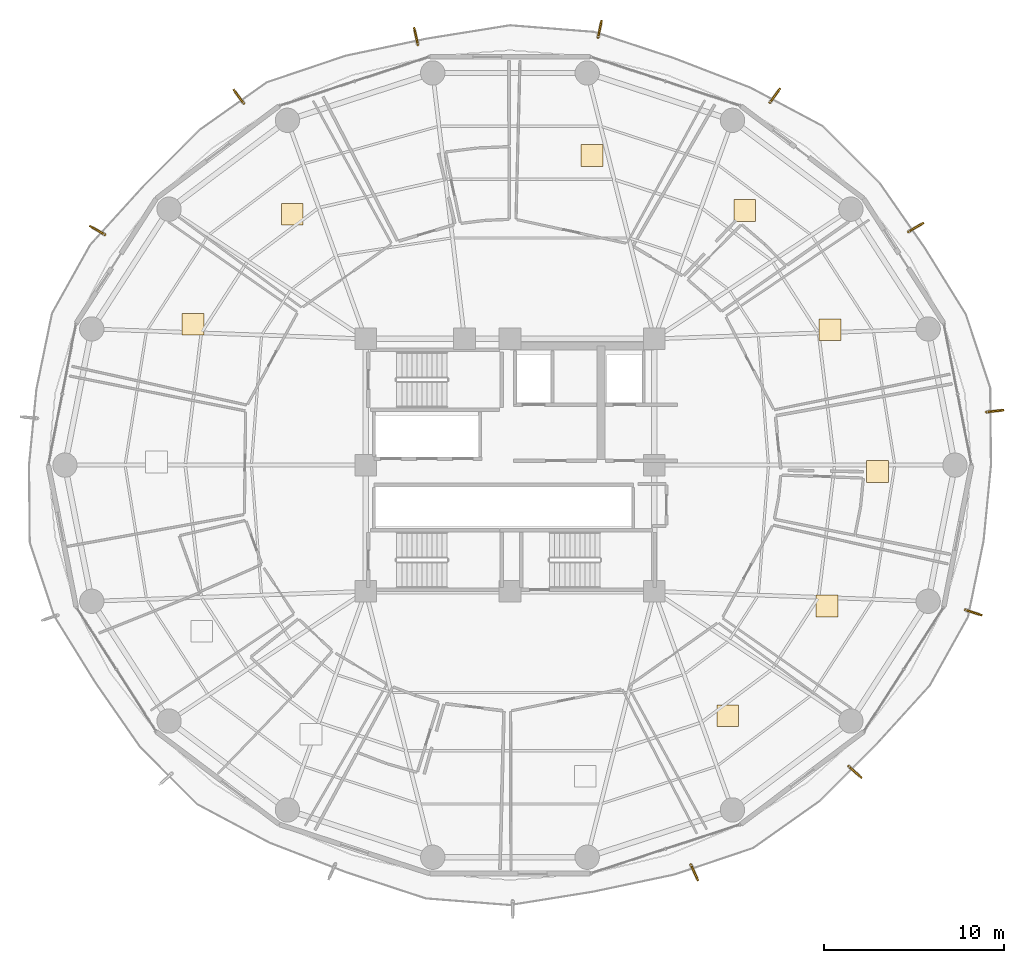
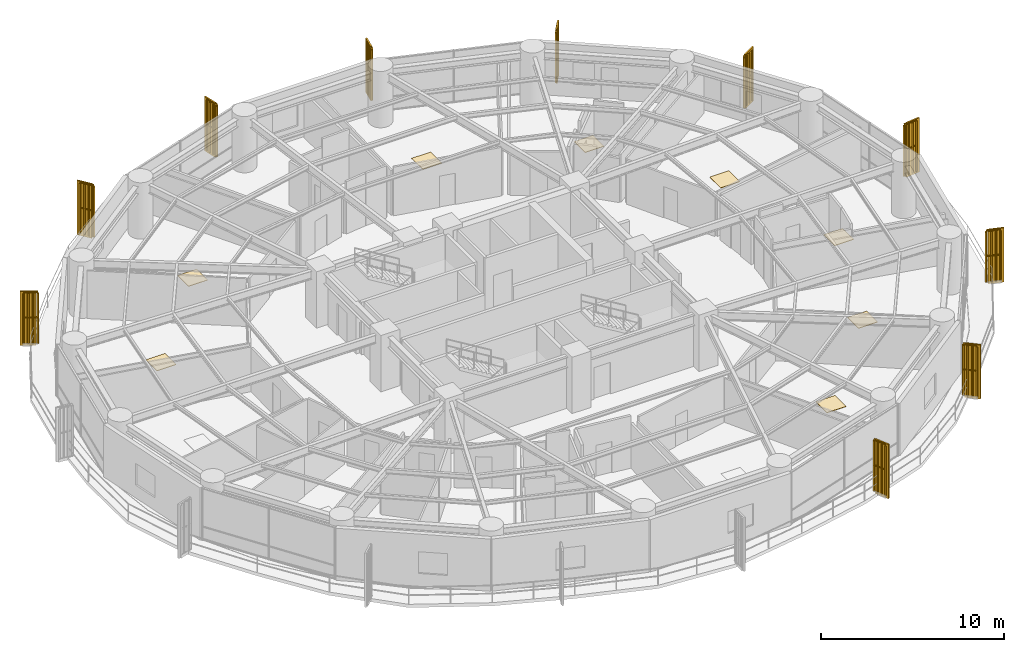
# One storey, part 35 of 35: 10 railings, 10 shading devices, 8 coverings.
"""IFC4 building model written with IfcOpenShell, lengths in metres."""

import ifcopenshell
import ifcopenshell.guid

model = None  # the IFC model being written
_history = None  # IfcOwnerHistory: only IFC2X3 demands one
_inside = {}  # id of a spatial element -> (the spatial element, [elements in it])
_under = {}  # id of a project, library or spatial element -> (it, [spatial elements below it])
_declared = {}  # id of a project -> (the project, [libraries it declares])
_typed = {}  # id of a type object -> (the type object, [elements of that type])
_made_of = {}  # id of a material, layer set ... -> (it, [elements and type objects made of it])


def new_model(schema):
    """Start an empty IFC model of exactly this schema.

    Asked for "IFC4X3", IfcOpenShell would pick the latest addendum, in which some entities
    have other attributes; the version numbers below select the first issue.
    IFC2X3 requires an IfcOwnerHistory on every rooted entity: one is made here for all.
    """
    global model, _history
    if schema == "IFC4X3":
        model = ifcopenshell.file(schema_version=(4, 3, 0, 0))
    else:
        model = ifcopenshell.file(schema=schema)
    _inside.clear()
    _under.clear()
    _declared.clear()
    _typed.clear()
    _made_of.clear()
    _history = None
    if model.schema == "IFC2X3":
        org = make("IfcOrganization", Name="unknown")
        user = make(
            "IfcPersonAndOrganization",
            ThePerson=make("IfcPerson", FamilyName="unknown"),
            TheOrganization=org,
        )
        app = make(
            "IfcApplication",
            ApplicationDeveloper=org,
            Version="unknown",
            ApplicationFullName="unknown",
            ApplicationIdentifier="unknown",
        )
        _history = make(
            "IfcOwnerHistory",
            OwningUser=user,
            OwningApplication=app,
            ChangeAction="ADDED",
            CreationDate=0,
        )
    return model


def make(cls, **values):
    """One entity of the class cls with the attributes given. An attribute that is None is left unset."""
    return model.create_entity(
        cls, **{name: value for name, value in values.items() if value is not None}
    )


def rooted(cls, **values):
    """An entity with a GlobalId (a new one), such as an element, a storey or a relation."""
    return make(cls, GlobalId=ifcopenshell.guid.new(), OwnerHistory=_history, **values)


def si_unit(unit_type, name, prefix=None):
    """IfcSIUnit, for example si_unit("LENGTHUNIT", "METRE", prefix="MILLI")."""
    return make("IfcSIUnit", UnitType=unit_type, Prefix=prefix, Name=name)


def assignment(units):
    """IfcUnitAssignment: the units of a project."""
    return None if units is None else make("IfcUnitAssignment", Units=units)


def point(xyz):
    """IfcCartesianPoint."""
    return None if xyz is None else make("IfcCartesianPoint", Coordinates=xyz)


def direction(xyz):
    """IfcDirection."""
    return None if xyz is None else make("IfcDirection", DirectionRatios=xyz)


def frame(location, z_axis=None, x_axis=None):
    """IfcAxis2Placement3D, a coordinate frame: its origin and axes. An axis left out is left unset."""
    return make(
        "IfcAxis2Placement3D",
        Location=point(location),
        Axis=direction(z_axis),
        RefDirection=direction(x_axis),
    )


def frame_2d(location, x_axis=None):
    """IfcAxis2Placement2D, a coordinate frame in the plane: its origin and x axis."""
    return make(
        "IfcAxis2Placement2D", Location=point(location), RefDirection=direction(x_axis)
    )


def origin():
    """The frame at (0, 0, 0) with its axes left unset."""
    return frame((0.0, 0.0, 0.0))


def origin_2d():
    """The frame at (0, 0) in the plane with its x axis left unset."""
    return frame_2d((0.0, 0.0))


def place(relative_to, where):
    """IfcLocalPlacement: puts the frame where relative to a parent placement (None: the world)."""
    return make(
        "IfcLocalPlacement", PlacementRelTo=relative_to, RelativePlacement=where
    )


def context(
    kind, dimensions, precision=None, world=None, true_north=None, identifier=None
):
    """IfcGeometricRepresentationContext, for example the 3D "Model" context."""
    return make(
        "IfcGeometricRepresentationContext",
        ContextIdentifier=identifier,
        ContextType=kind,
        CoordinateSpaceDimension=dimensions,
        Precision=precision,
        WorldCoordinateSystem=world,
        TrueNorth=true_north,
    )


def subcontext(parent, identifier, kind, view, scale=None):
    """IfcGeometricRepresentationSubContext, for example "Body" below "Model"."""
    return make(
        "IfcGeometricRepresentationSubContext",
        ContextIdentifier=identifier,
        ContextType=kind,
        ParentContext=parent,
        TargetScale=scale,
        TargetView=view,
    )


def project(units=None, contexts=None):
    """IfcProject with its units and contexts."""
    return rooted(
        "IfcProject",
        Name="project",
        RepresentationContexts=contexts,
        UnitsInContext=assignment(units),
    )


def spatial(cls, under=None, at=None, **own):
    """A site, building, storey or space (cls), placed at a placement, below another one or the project."""
    s = rooted(cls, ObjectPlacement=at, **own)
    if under is not None:
        _under.setdefault(under.id(), (under, []))[1].append(s)
    return s


def polyline(points):
    """IfcPolyline through the points."""
    return make("IfcPolyline", Points=[point(p) for p in points])


def profile(cls, at=None, kind="AREA", **sizes):
    """A parametric profile (cls). Its sizes go by their IFC names, for example OverallWidth=200.0."""
    return make(cls, ProfileType=kind, Position=at, **sizes)


def rectangle(**sizes):
    """IfcRectangleProfileDef."""
    return profile("IfcRectangleProfileDef", **sizes)


def outline(outer, holes=None, kind="AREA"):
    """IfcArbitraryClosedProfileDef: a profile drawn as a closed curve; with holes, ...WithVoids."""
    if holes is None:
        return make("IfcArbitraryClosedProfileDef", ProfileType=kind, OuterCurve=outer)
    return make(
        "IfcArbitraryProfileDefWithVoids",
        ProfileType=kind,
        OuterCurve=outer,
        InnerCurves=holes,
    )


def extrude(swept, where, along, depth):
    """IfcExtrudedAreaSolid: the profile swept, set in the frame where, extruded along a direction by depth."""
    return make(
        "IfcExtrudedAreaSolid",
        SweptArea=swept,
        Position=where,
        ExtrudedDirection=direction(along),
        Depth=depth,
    )


def shape(context_of_items, identifier, shape_type, items):
    """IfcShapeRepresentation: the items that make up one representation, for example the "Body"."""
    return make(
        "IfcShapeRepresentation",
        ContextOfItems=context_of_items,
        RepresentationIdentifier=identifier,
        RepresentationType=shape_type,
        Items=items,
    )


def source(mapping_origin, context_of_items, identifier, shape_type, items):
    """IfcRepresentationMap: a shape defined once, which mapped items show again and again."""
    return make(
        "IfcRepresentationMap",
        MappingOrigin=mapping_origin,
        MappedRepresentation=shape(context_of_items, identifier, shape_type, items),
    )


def transform(
    local_origin,
    x_axis=None,
    y_axis=None,
    z_axis=None,
    scale=None,
    scale2=None,
    scale3=None,
    uniform=True,
):
    """IfcCartesianTransformationOperator3D, or its non-uniform kind. x_axis, y_axis, z_axis: its Axis1, 2, 3."""
    if uniform:
        return make(
            "IfcCartesianTransformationOperator3D",
            Axis1=direction(x_axis),
            Axis2=direction(y_axis),
            LocalOrigin=point(local_origin),
            Scale=scale,
            Axis3=direction(z_axis),
        )
    return make(
        "IfcCartesianTransformationOperator3DnonUniform",
        Axis1=direction(x_axis),
        Axis2=direction(y_axis),
        LocalOrigin=point(local_origin),
        Scale=scale,
        Axis3=direction(z_axis),
        Scale2=scale2,
        Scale3=scale3,
    )


def mapped(mapping_source, mapping_target):
    """IfcMappedItem: shows the shape of a source again, moved by a transform."""
    return make(
        "IfcMappedItem", MappingSource=mapping_source, MappingTarget=mapping_target
    )


def material(Name=None, Category=None):
    """IfcMaterial."""
    return make("IfcMaterial", Name=Name, Category=Category)


def layer(
    of_material, thickness, ventilated=None, Name=None, Category=None, Priority=None
):
    """IfcMaterialLayer: one layer of a wall or slab, of a material (None: an air gap)."""
    return make(
        "IfcMaterialLayer",
        Material=of_material,
        LayerThickness=thickness,
        IsVentilated=ventilated,
        Name=Name,
        Category=Category,
        Priority=Priority,
    )


def layer_set(layers, Name=None):
    """IfcMaterialLayerSet."""
    return make("IfcMaterialLayerSet", MaterialLayers=layers, LayerSetName=Name)


def made_of(thing, what):
    """Note that an element or type object is made of a material, layer set ...; save() writes the relation."""
    if what is not None:
        _made_of.setdefault(what.id(), (what, []))[1].append(thing)
    return thing


def type_object(cls, material=None, **own):
    """A type object (cls), such as IfcWallType, which elements share."""
    return made_of(rooted(cls, **own), material)


def element(
    cls,
    number,
    at=None,
    inside=None,
    cuts=None,
    type_object=None,
    material=None,
    context=None,
    identifier="Body",
    shape_type=None,
    held_by="IfcProductDefinitionShape",
    body=None,
    shapes=None,
    **own,
):
    """One element of the class cls, such as IfcWall. Its Tag is "e" and its number.

    at: its placement. inside: the storey or other place that contains it. cuts: it is an
    opening in that element (IfcRelVoidsElement). A single representation is given by context,
    identifier, shape_type and body (its items); several are given by shapes. held_by: the class
    of the entity that holds the representations. save() writes the other relations.
    """
    e = rooted(cls, Tag="e%d" % number, ObjectPlacement=at, **own)
    if body is not None:
        shapes = [shape(context, identifier, shape_type, body)]
    if shapes is not None:
        e.Representation = make(held_by, Representations=shapes)
    if inside is not None:
        _inside.setdefault(inside.id(), (inside, []))[1].append(e)
    if cuts is not None:
        rooted(
            "IfcRelVoidsElement", RelatingBuildingElement=cuts, RelatedOpeningElement=e
        )
    if type_object is not None:
        _typed.setdefault(type_object.id(), (type_object, []))[1].append(e)
    return made_of(e, material)


def aggregate(whole, parts):
    """IfcRelAggregates: a whole, such as a stair, and the parts it consists of."""
    return rooted("IfcRelAggregates", RelatingObject=whole, RelatedObjects=parts)


def save(model, path):
    """Write the relations noted so far, then the file.

    IfcRelAggregates (storeys below a building ...), IfcRelContainedInSpatialStructure (elements
    in a storey), IfcRelDefinesByType, IfcRelAssociatesMaterial and IfcRelDeclares: one each for
    every whole, place, type object, material and project.
    """
    for whole, parts in _under.values():
        aggregate(whole, parts)
    for where, things in _inside.values():
        rooted(
            "IfcRelContainedInSpatialStructure",
            RelatedElements=things,
            RelatingStructure=where,
        )
    for kind, things in _typed.values():
        rooted("IfcRelDefinesByType", RelatedObjects=things, RelatingType=kind)
    for what, things in _made_of.values():
        rooted("IfcRelAssociatesMaterial", RelatedObjects=things, RelatingMaterial=what)
    for by, libraries in _declared.values():
        rooted("IfcRelDeclares", RelatingContext=by, RelatedDefinitions=libraries)
    model.write(path)


model = new_model("IFC4")

# Units and contexts
model_context = context("Model", 3, precision=1e-05, world=origin(), true_north=direction((0.0, 1.0)))
body_context = subcontext(model_context, "Body", "Model", "MODEL_VIEW")
ifc_project = project(units=[si_unit("LENGTHUNIT", "METRE"), si_unit("AREAUNIT", "SQUARE_METRE"), si_unit("VOLUMEUNIT", "CUBIC_METRE"), si_unit("PLANEANGLEUNIT", "RADIAN"), si_unit("MASSUNIT", "GRAM", prefix="KILO")], contexts=[model_context])

# Site, building, storey
site_placement = place(None, origin())
site = spatial("IfcSite", under=ifc_project, at=site_placement, CompositionType="ELEMENT")
building_placement = place(site_placement, origin())
building = spatial("IfcBuilding", under=site, at=building_placement, Name="Kelanora Arch Commons", CompositionType="ELEMENT")
storey_placement = place(building_placement, frame((0.0, 0.0, 121.35009765625)))
storey = spatial("IfcBuildingStorey", under=building, at=storey_placement, Name="L31", CompositionType="ELEMENT", Elevation=121.35009765625)

# Railings
ifc_material_1 = material(Name="Anodised bronze vertical shading fin rib assembly")
railing_type = type_object("IfcRailingType", Name="RAIL-FIN-BRZ", PredefinedType="BALUSTRADE", material=ifc_material_1)
railing_1_placement = place(storey_placement, frame((96.10400390625, 70.946044921875, -0.02001953125)))
element("IfcRailing", 1, at=railing_1_placement, inside=storey, type_object=railing_type, Name="Sweeping Bronze Vertical Fin Blade L31-00", PredefinedType="BALUSTRADE", context=body_context, shape_type="SweptSolid", body=[
    extrude(outline(polyline([(0.06982421875, 0.0), (0.034912109375, 0.060546875), (-0.034912109375, 0.060546875), (-0.06982421875, 0.0), (-0.034912109375, -0.060546875), (0.034912109375, -0.060546875), (0.06982421875, 0.0)])), frame((0.0, 0.0, 3.419921875), z_axis=(0.862885301133, 0.505399799256, 0.0), x_axis=(-0.505399799256, 0.862885301133, 0.0)), (0.0, 0.0, 1.0), 0.783935546875),
    extrude(outline(polyline([(0.06982421875, 0.0), (0.034912109375, 0.060546875), (-0.034912109375, 0.060546875), (-0.06982421875, 0.0), (-0.034912109375, -0.060546875), (0.034912109375, -0.060546875), (0.06982421875, 0.0)])), frame((0.0, 0.0, 1.7451171875), z_axis=(0.862885301133, 0.505399799256, 0.0), x_axis=(-0.505399799256, 0.862885301133, 0.0)), (0.0, 0.0, 1.0), 0.783935546875),
    extrude(outline(polyline([(0.080078125, 0.0), (0.0400390625, 0.0693359375), (-0.0400390625, 0.0693359375), (-0.080078125, 0.0), (-0.0400390625, -0.0693359375), (0.0400390625, -0.0693359375), (0.080078125, 0.0)])), origin(), (0.0, 0.0, 1.0), 3.35009765625),
    extrude(outline(polyline([(0.080078125, 0.0), (0.0400390625, 0.0693359375), (-0.0400390625, 0.0693359375), (-0.080078125, 0.0), (-0.0400390625, -0.0693359375), (0.0400390625, -0.0693359375), (0.080078125, 0.0)])), frame((0.2255859375, 0.132080078125, 0.0)), (0.0, 0.0, 1.0), 3.35009765625),
    extrude(outline(polyline([(0.080078125, 0.0), (0.0400390625, 0.0693359375), (-0.0400390625, 0.0693359375), (-0.080078125, 0.0), (-0.0400390625, -0.0693359375), (0.0400390625, -0.0693359375), (0.080078125, 0.0)])), frame((0.450927734375, 0.26416015625, 0.0)), (0.0, 0.0, 1.0), 3.35009765625),
    extrude(outline(polyline([(0.080078125, 0.0), (0.0400390625, 0.0693359375), (-0.0400390625, 0.0693359375), (-0.080078125, 0.0), (-0.0400390625, -0.0693359375), (0.0400390625, -0.0693359375), (0.080078125, 0.0)])), frame((0.676513671875, 0.396240234375, 0.0)), (0.0, 0.0, 1.0), 3.35009765625),
])
railing_2_placement = place(storey_placement, frame((88.420166015625, 78.10986328125, -0.02001953125)))
element("IfcRailing", 2, at=railing_2_placement, inside=storey, type_object=railing_type, Name="Sweeping Bronze Vertical Fin Blade L31-01", PredefinedType="BALUSTRADE", context=body_context, shape_type="SweptSolid", body=[
    extrude(outline(polyline([(0.06982421875, 0.0), (0.034912109375, 0.060546875), (-0.034912109375, 0.060546875), (-0.06982421875, 0.0), (-0.034912109375, -0.060546875), (0.034912109375, -0.060546875), (0.06982421875, 0.0)])), frame((0.0, 0.0, 3.419921875), z_axis=(0.58276928257, 0.812637658057, 0.0), x_axis=(-0.812637658057, 0.58276928257, 0.0)), (0.0, 0.0, 1.0), 0.783935546875),
    extrude(outline(polyline([(0.06982421875, 0.0), (0.034912109375, 0.060546875), (-0.034912109375, 0.060546875), (-0.06982421875, 0.0), (-0.034912109375, -0.060546875), (0.034912109375, -0.060546875), (0.06982421875, 0.0)])), frame((0.0, 0.0, 1.7451171875), z_axis=(0.58276928257, 0.812637658057, 0.0), x_axis=(-0.812637658057, 0.58276928257, 0.0)), (0.0, 0.0, 1.0), 0.783935546875),
    extrude(outline(polyline([(0.080078125, 0.0), (0.0400390625, 0.0693359375), (-0.0400390625, 0.0693359375), (-0.080078125, 0.0), (-0.0400390625, -0.0693359375), (0.0400390625, -0.0693359375), (0.080078125, 0.0)])), origin(), (0.0, 0.0, 1.0), 3.35009765625),
    extrude(outline(polyline([(0.080078125, 0.0), (0.0400390625, 0.0693359375), (-0.0400390625, 0.0693359375), (-0.080078125, 0.0), (-0.0400390625, -0.0693359375), (0.0400390625, -0.0693359375), (0.080078125, 0.0)])), frame((0.15234375, 0.21240234375, 0.0)), (0.0, 0.0, 1.0), 3.35009765625),
    extrude(outline(polyline([(0.080078125, 0.0), (0.0400390625, 0.0693359375), (-0.0400390625, 0.0693359375), (-0.080078125, 0.0), (-0.0400390625, -0.0693359375), (0.0400390625, -0.0693359375), (0.080078125, 0.0)])), frame((0.304443359375, 0.424560546875, 0.0)), (0.0, 0.0, 1.0), 3.35009765625),
    extrude(outline(polyline([(0.080078125, 0.0), (0.0400390625, 0.0693359375), (-0.0400390625, 0.0693359375), (-0.080078125, 0.0), (-0.0400390625, -0.0693359375), (0.0400390625, -0.0693359375), (0.080078125, 0.0)])), frame((0.456787109375, 0.636962890625, 0.0)), (0.0, 0.0, 1.0), 3.35009765625),
])
railing_3_placement = place(storey_placement, frame((78.88818359375, 81.722900390625, -0.02001953125)))
element("IfcRailing", 3, at=railing_3_placement, inside=storey, type_object=railing_type, Name="Sweeping Bronze Vertical Fin Blade L31-02", PredefinedType="BALUSTRADE", context=body_context, shape_type="SweptSolid", body=[
    extrude(outline(polyline([(0.06982421875, 0.0), (0.034912109375, 0.060546875), (-0.034912109375, 0.060546875), (-0.06982421875, 0.0), (-0.034912109375, -0.060546875), (0.034912109375, -0.060546875), (0.06982421875, 0.0)])), frame((0.0, 0.0, 3.419921875), z_axis=(0.201863869476, 0.97941358894, 0.0), x_axis=(-0.97941358894, 0.201863869476, 0.0)), (0.0, 0.0, 1.0), 0.78369140625),
    extrude(outline(polyline([(0.06982421875, 0.0), (0.034912109375, 0.060546875), (-0.034912109375, 0.060546875), (-0.06982421875, 0.0), (-0.034912109375, -0.060546875), (0.034912109375, -0.060546875), (0.06982421875, 0.0)])), frame((0.0, 0.0, 1.7451171875), z_axis=(0.201863869476, 0.97941358894, 0.0), x_axis=(-0.97941358894, 0.201863869476, 0.0)), (0.0, 0.0, 1.0), 0.78369140625),
    extrude(outline(polyline([(0.080078125, 0.0), (0.0400390625, 0.0693359375), (-0.0400390625, 0.0693359375), (-0.080078125, 0.0), (-0.0400390625, -0.0693359375), (0.0400390625, -0.0693359375), (0.080078125, 0.0)])), origin(), (0.0, 0.0, 1.0), 3.35009765625),
    extrude(outline(polyline([(0.080078125, 0.0), (0.0400390625, 0.0693359375), (-0.0400390625, 0.0693359375), (-0.080078125, 0.0), (-0.0400390625, -0.0693359375), (0.0400390625, -0.0693359375), (0.080078125, 0.0)])), frame((0.052734375, 0.255859375, 0.0)), (0.0, 0.0, 1.0), 3.35009765625),
    extrude(outline(polyline([(0.080078125, 0.0), (0.0400390625, 0.0693359375), (-0.0400390625, 0.0693359375), (-0.080078125, 0.0), (-0.0400390625, -0.0693359375), (0.0400390625, -0.0693359375), (0.080078125, 0.0)])), frame((0.10546875, 0.51171875, 0.0)), (0.0, 0.0, 1.0), 3.35009765625),
    extrude(outline(polyline([(0.080078125, 0.0), (0.0400390625, 0.0693359375), (-0.0400390625, 0.0693359375), (-0.080078125, 0.0), (-0.0400390625, -0.0693359375), (0.0400390625, -0.0693359375), (0.080078125, 0.0)])), frame((0.158203125, 0.767578125, 0.0)), (0.0, 0.0, 1.0), 3.35009765625),
])
railing_4_placement = place(storey_placement, frame((68.890380859375, 81.322998046875, -0.02001953125)))
element("IfcRailing", 4, at=railing_4_placement, inside=storey, type_object=railing_type, Name="Sweeping Bronze Vertical Fin Blade L31-03", PredefinedType="BALUSTRADE", context=body_context, shape_type="SweptSolid", body=[
    extrude(outline(polyline([(0.06982421875, 0.0), (0.034912109375, 0.060546875), (-0.034912109375, 0.060546875), (-0.06982421875, 0.0), (-0.034912109375, -0.060546875), (0.034912109375, -0.060546875), (0.06982421875, 0.0)])), frame((0.0, 0.0, 3.419921875), z_axis=(-0.213929041258, 0.976849202951, 0.0), x_axis=(-0.976849202951, -0.213929041258, 0.0)), (0.0, 0.0, 1.0), 0.783935546875),
    extrude(outline(polyline([(0.06982421875, 0.0), (0.034912109375, 0.060546875), (-0.034912109375, 0.060546875), (-0.06982421875, 0.0), (-0.034912109375, -0.060546875), (0.034912109375, -0.060546875), (0.06982421875, 0.0)])), frame((0.0, 0.0, 1.7451171875), z_axis=(-0.213929041258, 0.976849202951, 0.0), x_axis=(-0.976849202951, -0.213929041258, 0.0)), (0.0, 0.0, 1.0), 0.783935546875),
    extrude(outline(polyline([(0.080078125, 0.0), (0.0400390625, 0.0693359375), (-0.0400390625, 0.0693359375), (-0.080078125, 0.0), (-0.0400390625, -0.0693359375), (0.0400390625, -0.0693359375), (0.080078125, 0.0)])), origin(), (0.0, 0.0, 1.0), 3.35009765625),
    extrude(outline(polyline([(0.080078125, 0.0), (0.0400390625, 0.0693359375), (-0.0400390625, 0.0693359375), (-0.080078125, 0.0), (-0.0400390625, -0.0693359375), (0.0400390625, -0.0693359375), (0.080078125, 0.0)])), frame((-0.055908203125, 0.25537109375, 0.0)), (0.0, 0.0, 1.0), 3.35009765625),
    extrude(outline(polyline([(0.080078125, 0.0), (0.0400390625, 0.0693359375), (-0.0400390625, 0.0693359375), (-0.080078125, 0.0), (-0.0400390625, -0.0693359375), (0.0400390625, -0.0693359375), (0.080078125, 0.0)])), frame((-0.11181640625, 0.510498046875, 0.0)), (0.0, 0.0, 1.0), 3.35009765625),
    extrude(outline(polyline([(0.080078125, 0.0), (0.0400390625, 0.0693359375), (-0.0400390625, 0.0693359375), (-0.080078125, 0.0), (-0.0400390625, -0.0693359375), (0.0400390625, -0.0693359375), (0.080078125, 0.0)])), frame((-0.167724609375, 0.765869140625, 0.0)), (0.0, 0.0, 1.0), 3.35009765625),
])
railing_5_placement = place(storey_placement, frame((59.237060546875, 78.055419921875, -0.02001953125)))
element("IfcRailing", 5, at=railing_5_placement, inside=storey, type_object=railing_type, Name="Sweeping Bronze Vertical Fin Blade L31-04", PredefinedType="BALUSTRADE", context=body_context, shape_type="SweptSolid", body=[
    extrude(outline(polyline([(0.06982421875, 0.0), (0.034912109375, 0.060546875), (-0.034912109375, 0.060546875), (-0.06982421875, 0.0), (-0.034912109375, -0.060546875), (0.034912109375, -0.060546875), (0.06982421875, 0.0)])), frame((0.0, 0.0, 3.419921875), z_axis=(-0.592699588838, 0.805423613629, 0.0), x_axis=(-0.805423613629, -0.592699588838, 0.0)), (0.0, 0.0, 1.0), 0.783935546875),
    extrude(outline(polyline([(0.06982421875, 0.0), (0.034912109375, 0.060546875), (-0.034912109375, 0.060546875), (-0.06982421875, 0.0), (-0.034912109375, -0.060546875), (0.034912109375, -0.060546875), (0.06982421875, 0.0)])), frame((0.0, 0.0, 1.7451171875), z_axis=(-0.592699588838, 0.805423613629, 0.0), x_axis=(-0.805423613629, -0.592699588838, 0.0)), (0.0, 0.0, 1.0), 0.783935546875),
    extrude(outline(polyline([(0.080078125, 0.0), (0.0400390625, 0.0693359375), (-0.0400390625, 0.0693359375), (-0.080078125, 0.0), (-0.0400390625, -0.0693359375), (0.0400390625, -0.0693359375), (0.080078125, 0.0)])), origin(), (0.0, 0.0, 1.0), 3.35009765625),
    extrude(outline(polyline([(0.080078125, 0.0), (0.0400390625, 0.0693359375), (-0.0400390625, 0.0693359375), (-0.080078125, 0.0), (-0.0400390625, -0.0693359375), (0.0400390625, -0.0693359375), (0.080078125, 0.0)])), frame((-0.15478515625, 0.21044921875, 0.0)), (0.0, 0.0, 1.0), 3.35009765625),
    extrude(outline(polyline([(0.080078125, 0.0), (0.0400390625, 0.0693359375), (-0.0400390625, 0.0693359375), (-0.080078125, 0.0), (-0.0400390625, -0.0693359375), (0.0400390625, -0.0693359375), (0.080078125, 0.0)])), frame((-0.309814453125, 0.4208984375, 0.0)), (0.0, 0.0, 1.0), 3.35009765625),
    extrude(outline(polyline([(0.080078125, 0.0), (0.0400390625, 0.0693359375), (-0.0400390625, 0.0693359375), (-0.080078125, 0.0), (-0.0400390625, -0.0693359375), (0.0400390625, -0.0693359375), (0.080078125, 0.0)])), frame((-0.464599609375, 0.63134765625, 0.0)), (0.0, 0.0, 1.0), 3.35009765625),
])
railing_6_placement = place(storey_placement, frame((51.530029296875, 70.787109375, -0.02001953125)))
element("IfcRailing", 6, at=railing_6_placement, inside=storey, type_object=railing_type, Name="Sweeping Bronze Vertical Fin Blade L31-05", PredefinedType="BALUSTRADE", context=body_context, shape_type="SweptSolid", body=[
    extrude(outline(polyline([(0.06982421875, 0.0), (0.034912109375, 0.060546875), (-0.034912109375, 0.060546875), (-0.06982421875, 0.0), (-0.034912109375, -0.060546875), (0.034912109375, -0.060546875), (0.06982421875, 0.0)])), frame((0.0, 0.0, 3.419921875), z_axis=(-0.86908533396, 0.494662190082, 0.0), x_axis=(-0.494662190082, -0.86908533396, 0.0)), (0.0, 0.0, 1.0), 0.78369140625),
    extrude(outline(polyline([(0.06982421875, 0.0), (0.034912109375, 0.060546875), (-0.034912109375, 0.060546875), (-0.06982421875, 0.0), (-0.034912109375, -0.060546875), (0.034912109375, -0.060546875), (0.06982421875, 0.0)])), frame((0.0, 0.0, 1.7451171875), z_axis=(-0.86908533396, 0.494662190082, 0.0), x_axis=(-0.494662190082, -0.86908533396, 0.0)), (0.0, 0.0, 1.0), 0.78369140625),
    extrude(outline(polyline([(0.080078125, 0.0), (0.0400390625, 0.0693359375), (-0.0400390625, 0.0693359375), (-0.080078125, 0.0), (-0.0400390625, -0.0693359375), (0.0400390625, -0.0693359375), (0.080078125, 0.0)])), origin(), (0.0, 0.0, 1.0), 3.35009765625),
    extrude(outline(polyline([(0.080078125, 0.0), (0.0400390625, 0.0693359375), (-0.0400390625, 0.0693359375), (-0.080078125, 0.0), (-0.0400390625, -0.0693359375), (0.0400390625, -0.0693359375), (0.080078125, 0.0)])), frame((-0.22705078125, 0.129150390625, 0.0)), (0.0, 0.0, 1.0), 3.35009765625),
    extrude(outline(polyline([(0.080078125, 0.0), (0.0400390625, 0.0693359375), (-0.0400390625, 0.0693359375), (-0.080078125, 0.0), (-0.0400390625, -0.0693359375), (0.0400390625, -0.0693359375), (0.080078125, 0.0)])), frame((-0.4541015625, 0.258544921875, 0.0)), (0.0, 0.0, 1.0), 3.35009765625),
    extrude(outline(polyline([(0.080078125, 0.0), (0.0400390625, 0.0693359375), (-0.0400390625, 0.0693359375), (-0.080078125, 0.0), (-0.0400390625, -0.0693359375), (0.0400390625, -0.0693359375), (0.080078125, 0.0)])), frame((-0.68115234375, 0.3876953125, 0.0)), (0.0, 0.0, 1.0), 3.35009765625),
])
railing_7_placement = place(storey_placement, frame((84.033203125, 35.83740234375, -0.02001953125)))
element("IfcRailing", 7, at=railing_7_placement, inside=storey, type_object=railing_type, Name="Sweeping Bronze Vertical Fin Blade L31-11", PredefinedType="BALUSTRADE", context=body_context, shape_type="SweptSolid", body=[
    extrude(outline(polyline([(0.06982421875, 0.0), (0.034912109375, 0.060546875), (-0.034912109375, 0.060546875), (-0.06982421875, 0.0), (-0.034912109375, -0.060546875), (0.034912109375, -0.060546875), (0.06982421875, 0.0)])), frame((0.0, 0.0, 3.419921875), z_axis=(0.412629449009, -0.91089897234, 0.0), x_axis=(0.91089897234, 0.412629449009, 0.0)), (0.0, 0.0, 1.0), 0.783935546875),
    extrude(outline(polyline([(0.06982421875, 0.0), (0.034912109375, 0.060546875), (-0.034912109375, 0.060546875), (-0.06982421875, 0.0), (-0.034912109375, -0.060546875), (0.034912109375, -0.060546875), (0.06982421875, 0.0)])), frame((0.0, 0.0, 1.7451171875), z_axis=(0.412629449009, -0.91089897234, 0.0), x_axis=(0.91089897234, 0.412629449009, 0.0)), (0.0, 0.0, 1.0), 0.783935546875),
    extrude(outline(polyline([(0.080078125, 0.0), (0.0400390625, 0.0693359375), (-0.0400390625, 0.0693359375), (-0.080078125, 0.0), (-0.0400390625, -0.0693359375), (0.0400390625, -0.0693359375), (0.080078125, 0.0)])), origin(), (0.0, 0.0, 1.0), 3.35009765625),
    extrude(outline(polyline([(0.080078125, 0.0), (0.0400390625, 0.0693359375), (-0.0400390625, 0.0693359375), (-0.080078125, 0.0), (-0.0400390625, -0.0693359375), (0.0400390625, -0.0693359375), (0.080078125, 0.0)])), frame((0.10791015625, -0.238037109375, 0.0)), (0.0, 0.0, 1.0), 3.35009765625),
    extrude(outline(polyline([(0.080078125, 0.0), (0.0400390625, 0.0693359375), (-0.0400390625, 0.0693359375), (-0.080078125, 0.0), (-0.0400390625, -0.0693359375), (0.0400390625, -0.0693359375), (0.080078125, 0.0)])), frame((0.215576171875, -0.47607421875, 0.0)), (0.0, 0.0, 1.0), 3.35009765625),
    extrude(outline(polyline([(0.080078125, 0.0), (0.0400390625, 0.0693359375), (-0.0400390625, 0.0693359375), (-0.080078125, 0.0), (-0.0400390625, -0.0693359375), (0.0400390625, -0.0693359375), (0.080078125, 0.0)])), frame((0.323486328125, -0.714111328125, 0.0)), (0.0, 0.0, 1.0), 3.35009765625),
])
railing_8_placement = place(storey_placement, frame((92.783935546875, 41.297607421875, -0.02001953125)))
element("IfcRailing", 8, at=railing_8_placement, inside=storey, type_object=railing_type, Name="Sweeping Bronze Vertical Fin Blade L31-12", PredefinedType="BALUSTRADE", context=body_context, shape_type="SweptSolid", body=[
    extrude(outline(polyline([(0.06982421875, 0.0), (0.034912109375, 0.060546875), (-0.034912109375, 0.060546875), (-0.06982421875, 0.0), (-0.034912109375, -0.060546875), (0.034912109375, -0.060546875), (0.06982421875, 0.0)])), frame((0.0, 0.0, 3.419921875), z_axis=(0.747168701359, -0.66463443464, 0.0), x_axis=(0.66463443464, 0.747168701359, 0.0)), (0.0, 0.0, 1.0), 0.783935546875),
    extrude(outline(polyline([(0.06982421875, 0.0), (0.034912109375, 0.060546875), (-0.034912109375, 0.060546875), (-0.06982421875, 0.0), (-0.034912109375, -0.060546875), (0.034912109375, -0.060546875), (0.06982421875, 0.0)])), frame((0.0, 0.0, 1.7451171875), z_axis=(0.747168701359, -0.66463443464, 0.0), x_axis=(0.66463443464, 0.747168701359, 0.0)), (0.0, 0.0, 1.0), 0.783935546875),
    extrude(outline(polyline([(0.080078125, 0.0), (0.0400390625, 0.0693359375), (-0.0400390625, 0.0693359375), (-0.080078125, 0.0), (-0.0400390625, -0.0693359375), (0.0400390625, -0.0693359375), (0.080078125, 0.0)])), origin(), (0.0, 0.0, 1.0), 3.35009765625),
    extrude(outline(polyline([(0.080078125, 0.0), (0.0400390625, 0.0693359375), (-0.0400390625, 0.0693359375), (-0.080078125, 0.0), (-0.0400390625, -0.0693359375), (0.0400390625, -0.0693359375), (0.080078125, 0.0)])), frame((0.1953125, -0.173583984375, 0.0)), (0.0, 0.0, 1.0), 3.35009765625),
    extrude(outline(polyline([(0.080078125, 0.0), (0.0400390625, 0.0693359375), (-0.0400390625, 0.0693359375), (-0.080078125, 0.0), (-0.0400390625, -0.0693359375), (0.0400390625, -0.0693359375), (0.080078125, 0.0)])), frame((0.390380859375, -0.347412109375, 0.0)), (0.0, 0.0, 1.0), 3.35009765625),
    extrude(outline(polyline([(0.080078125, 0.0), (0.0400390625, 0.0693359375), (-0.0400390625, 0.0693359375), (-0.080078125, 0.0), (-0.0400390625, -0.0693359375), (0.0400390625, -0.0693359375), (0.080078125, 0.0)])), frame((0.585693359375, -0.52099609375, 0.0)), (0.0, 0.0, 1.0), 3.35009765625),
])
railing_9_placement = place(storey_placement, frame((99.25341796875, 49.96826171875, -0.02001953125)))
element("IfcRailing", 9, at=railing_9_placement, inside=storey, type_object=railing_type, Name="Sweeping Bronze Vertical Fin Blade L31-13", PredefinedType="BALUSTRADE", context=body_context, shape_type="SweptSolid", body=[
    extrude(outline(polyline([(0.06982421875, 0.0), (0.034912109375, 0.060546875), (-0.034912109375, 0.060546875), (-0.06982421875, 0.0), (-0.034912109375, -0.060546875), (0.034912109375, -0.060546875), (0.06982421875, 0.0)])), frame((0.0, 0.0, 3.419921875), z_axis=(0.952983024504, -0.303023687204, 0.0), x_axis=(0.303023687204, 0.952983024504, 0.0)), (0.0, 0.0, 1.0), 0.783935546875),
    extrude(outline(polyline([(0.06982421875, 0.0), (0.034912109375, 0.060546875), (-0.034912109375, 0.060546875), (-0.06982421875, 0.0), (-0.034912109375, -0.060546875), (0.034912109375, -0.060546875), (0.06982421875, 0.0)])), frame((0.0, 0.0, 1.7451171875), z_axis=(0.952983024504, -0.303023687204, 0.0), x_axis=(0.303023687204, 0.952983024504, 0.0)), (0.0, 0.0, 1.0), 0.783935546875),
    extrude(outline(polyline([(0.080078125, 0.0), (0.0400390625, 0.0693359375), (-0.0400390625, 0.0693359375), (-0.080078125, 0.0), (-0.0400390625, -0.0693359375), (0.0400390625, -0.0693359375), (0.080078125, 0.0)])), origin(), (0.0, 0.0, 1.0), 3.35009765625),
    extrude(outline(polyline([(0.080078125, 0.0), (0.0400390625, 0.0693359375), (-0.0400390625, 0.0693359375), (-0.080078125, 0.0), (-0.0400390625, -0.0693359375), (0.0400390625, -0.0693359375), (0.080078125, 0.0)])), frame((0.2490234375, -0.0791015625, 0.0)), (0.0, 0.0, 1.0), 3.35009765625),
    extrude(outline(polyline([(0.080078125, 0.0), (0.0400390625, 0.0693359375), (-0.0400390625, 0.0693359375), (-0.080078125, 0.0), (-0.0400390625, -0.0693359375), (0.0400390625, -0.0693359375), (0.080078125, 0.0)])), frame((0.498046875, -0.158447265625, 0.0)), (0.0, 0.0, 1.0), 3.35009765625),
    extrude(outline(polyline([(0.080078125, 0.0), (0.0400390625, 0.0693359375), (-0.0400390625, 0.0693359375), (-0.080078125, 0.0), (-0.0400390625, -0.0693359375), (0.0400390625, -0.0693359375), (0.080078125, 0.0)])), frame((0.7470703125, -0.237548828125, 0.0)), (0.0, 0.0, 1.0), 3.35009765625),
])
railing_10_placement = place(storey_placement, frame((100.42626953125, 60.944091796875, -0.02001953125)))
element("IfcRailing", 10, at=railing_10_placement, inside=storey, type_object=railing_type, Name="Sweeping Bronze Vertical Fin Blade L31-14", PredefinedType="BALUSTRADE", context=body_context, shape_type="SweptSolid", body=[
    extrude(outline(polyline([(0.06982421875, 0.0), (0.034912109375, 0.060546875), (-0.034912109375, 0.060546875), (-0.06982421875, 0.0), (-0.034912109375, -0.060546875), (0.034912109375, -0.060546875), (0.06982421875, 0.0)])), frame((0.0, 0.0, 3.419921875), z_axis=(0.993834259241, 0.110875899809, 0.0), x_axis=(-0.110875899809, 0.993834259241, 0.0)), (0.0, 0.0, 1.0), 0.783935546875),
    extrude(outline(polyline([(0.06982421875, 0.0), (0.034912109375, 0.060546875), (-0.034912109375, 0.060546875), (-0.06982421875, 0.0), (-0.034912109375, -0.060546875), (0.034912109375, -0.060546875), (0.06982421875, 0.0)])), frame((0.0, 0.0, 1.7451171875), z_axis=(0.993834259241, 0.110875899809, 0.0), x_axis=(-0.110875899809, 0.993834259241, 0.0)), (0.0, 0.0, 1.0), 0.783935546875),
    extrude(outline(polyline([(0.080078125, 0.0), (0.0400390625, 0.0693359375), (-0.0400390625, 0.0693359375), (-0.080078125, 0.0), (-0.0400390625, -0.0693359375), (0.0400390625, -0.0693359375), (0.080078125, 0.0)])), origin(), (0.0, 0.0, 1.0), 3.35009765625),
    extrude(outline(polyline([(0.080078125, 0.0), (0.0400390625, 0.0693359375), (-0.0400390625, 0.0693359375), (-0.080078125, 0.0), (-0.0400390625, -0.0693359375), (0.0400390625, -0.0693359375), (0.080078125, 0.0)])), frame((0.259765625, 0.029052734375, 0.0)), (0.0, 0.0, 1.0), 3.35009765625),
    extrude(outline(polyline([(0.080078125, 0.0), (0.0400390625, 0.0693359375), (-0.0400390625, 0.0693359375), (-0.080078125, 0.0), (-0.0400390625, -0.0693359375), (0.0400390625, -0.0693359375), (0.080078125, 0.0)])), frame((0.519287109375, 0.057861328125, 0.0)), (0.0, 0.0, 1.0), 3.35009765625),
    extrude(outline(polyline([(0.080078125, 0.0), (0.0400390625, 0.0693359375), (-0.0400390625, 0.0693359375), (-0.080078125, 0.0), (-0.0400390625, -0.0693359375), (0.0400390625, -0.0693359375), (0.080078125, 0.0)])), frame((0.779052734375, 0.0869140625, 0.0)), (0.0, 0.0, 1.0), 3.35009765625),
])

# Shading devices
ifc_material_2 = material(Name="Terracotta ceramic-clad extruded aluminium fin", Category="masonry")
shading_device_type = type_object("IfcShadingDeviceType", Name="SHD-FIN-FLARE", PredefinedType="USERDEFINED", material=ifc_material_2)
shared_shape_1 = source(origin(), body_context, "Body", "SweptSolid", [
    extrude(rectangle(XDim=0.8798828125, YDim=0.090087890625, at=origin_2d()), origin(), (0.0, 0.0, 1.0), 3.610107421875),
])
for number, where, z_axis, x_axis, name in (
    (11, (96.56298828125, 71.21484375, -0.14013671875), (0.0, 0.0, 1.0), (0.862866737202, 0.505431492718, 0.0), "Sweeping Terracotta Fin L31-00"),
    (12, (88.72998046875, 78.542236328125, -0.14013671875), (0.0, 0.0, 1.0), (0.582690479669, 0.812694164433, 0.0), "Sweeping Terracotta Fin L31-01"),
    (13, (78.99560546875, 82.243896484375, -0.14013671875), (0.0, 0.0, 1.0), (0.201761744624, 0.979434632023, 0.0), "Sweeping Terracotta Fin L31-02"),
    (14, (68.776611328125, 81.8427734375, -0.14013671875), (0.0, 0.0, 1.0), (-0.214053429014, 0.976821953852, 0.0), "Sweeping Terracotta Fin L31-03"),
    (15, (58.921630859375, 78.48388671875, -0.14013671875), (0.0, 0.0, 1.0), (-0.592856820161, 0.805307885711, 0.0), "Sweeping Terracotta Fin L31-04"),
    (16, (51.06787109375, 71.050048828125, -0.14013671875), (0.0, 0.0, 1.0), (-0.869149881167, 0.494548768138, 0.0), "Sweeping Terracotta Fin L31-05"),
    (17, (84.252685546875, 35.352783203125, -0.14013671875), (0.0, 0.0, 1.0), (0.412468552072, -0.910971840153, 0.0), "Sweeping Terracotta Fin L31-11"),
    (18, (93.181396484375, 40.944091796875, -0.14013671875), (0.0, 0.0, 1.0), (0.747334400366, -0.664448112368, 0.0), "Sweeping Terracotta Fin L31-12"),
    (19, (99.760498046875, 49.806884765625, -0.14013671875), (0.0, 0.0, 1.0), (0.952979341517, -0.303035269633, 0.0), "Sweeping Terracotta Fin L31-13"),
    (20, (100.955078125, 61.0029296875, -0.14013671875), (0.0, 0.0, 1.0), (0.993845496974, 0.110775124211, 0.0), "Sweeping Terracotta Fin L31-14"),
):
    element("IfcShadingDevice", number, at=place(storey_placement, frame(where, z_axis=z_axis, x_axis=x_axis)), inside=storey, type_object=shading_device_type, Name=name, ObjectType="FIN", PredefinedType="USERDEFINED", context=body_context, shape_type="MappedRepresentation", body=[
        mapped(shared_shape_1, transform((0.0, 0.0, 0.0), scale=1.0)),
    ])

# Coverings
ifc_material_3 = material(Name="Polished local granite terrazzo flooring", Category="masonry")
ifc_layer = layer(ifc_material_3, 0.030029296875)
ifc_layer_set = layer_set([ifc_layer], Name="Polished local granite terrazzo flooring")
covering_type = type_object("IfcCoveringType", Name="COV-FLR-TER", PredefinedType="FLOORING", material=ifc_layer_set)
shared_shape_2 = source(origin(), body_context, "Body", "SweptSolid", [
    extrude(rectangle(XDim=1.199951171875, YDim=1.199951171875, at=origin_2d()), origin(), (0.0, 0.0, 1.0), 0.030029296875),
])
for number, where, z_axis, x_axis, name in (
    (21, (87.017333984375, 72.11767578125, 0.0), (0.0, 0.0, 1.0), (1.0, 0.0, 0.0), "Co-Living Studio L31-01 Terrazzo Finish"),
    (22, (78.552734375, 75.16748046875, 0.0), (0.0, 0.0, 1.0), (1.0, 0.0, 0.0), "Communal Dining and Social Hall L31-02 Terrazzo Finish"),
    (23, (61.9296875, 71.90869140625, 0.0), (0.0, 0.0, 1.0), (1.0, 0.0, 0.0), "Social Sky Lounge L31-04 Terrazzo Finish"),
    (24, (56.422119140625, 65.816162109375, 0.0), (0.0, 0.0, 1.0), (1.0, 0.0, 0.0), "Quiet Seminar Study Room L31-05 Terrazzo Finish"),
    (25, (86.0703125, 44.09130859375, 0.0), (0.0, 0.0, 1.0), (1.0, 0.0, 0.0), "Quiet Seminar Study Room L31-11 Terrazzo Finish"),
    (26, (91.577880859375, 50.183837890625, 0.0), (0.0, 0.0, 1.0), (1.0, 0.0, 0.0), "Quiet Seminar Study Room L31-12 Terrazzo Finish"),
    (27, (94.383056640625, 57.64697265625, 0.0), (0.0, 0.0, 1.0), (1.0, 0.0, 0.0), "Co-Living Studio L31-13 Terrazzo Finish"),
    (28, (91.747802734375, 65.499267578125, 0.0), (0.0, 0.0, 1.0), (1.0, 0.0, 0.0), "Communal Dining and Social Hall L31-14 Terrazzo Finish"),
):
    element("IfcCovering", number, at=place(storey_placement, frame(where, z_axis=z_axis, x_axis=x_axis)), inside=storey, type_object=covering_type, Name=name, PredefinedType="FLOORING", context=body_context, shape_type="MappedRepresentation", body=[
        mapped(shared_shape_2, transform((0.0, 0.0, 0.0), scale=1.0)),
    ])

save(model, "model.ifc")
